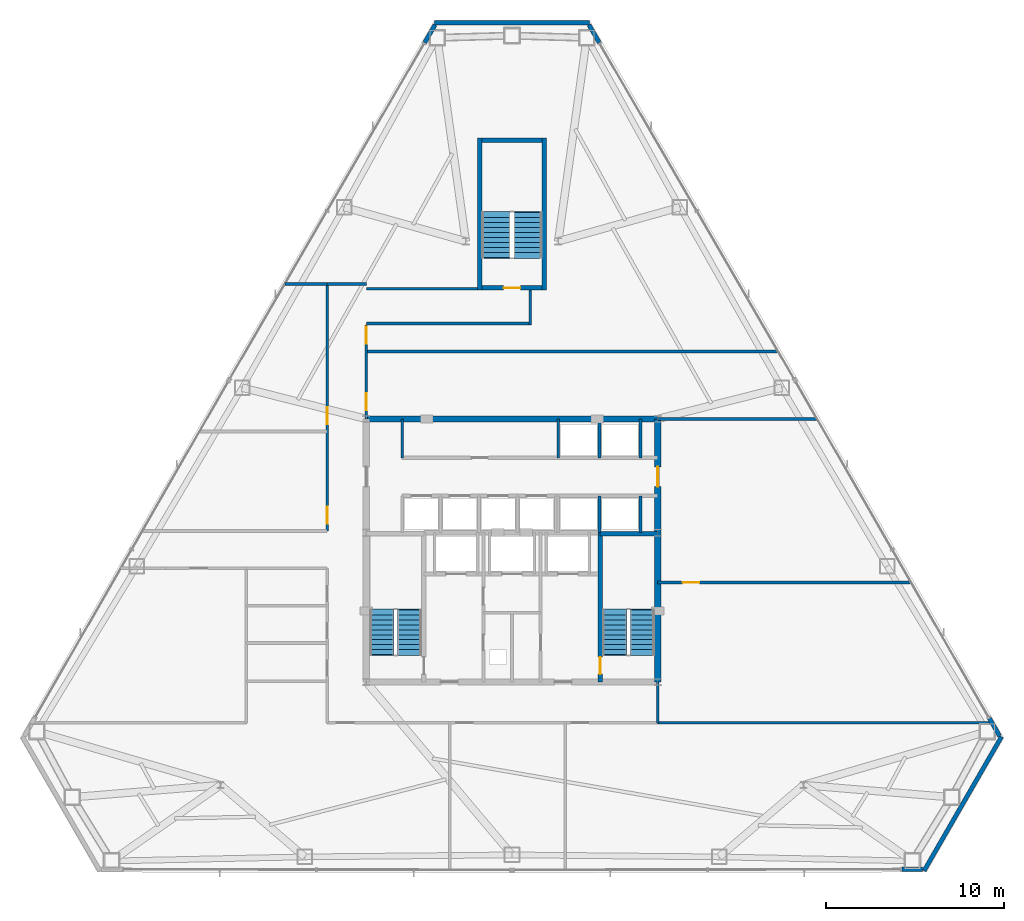
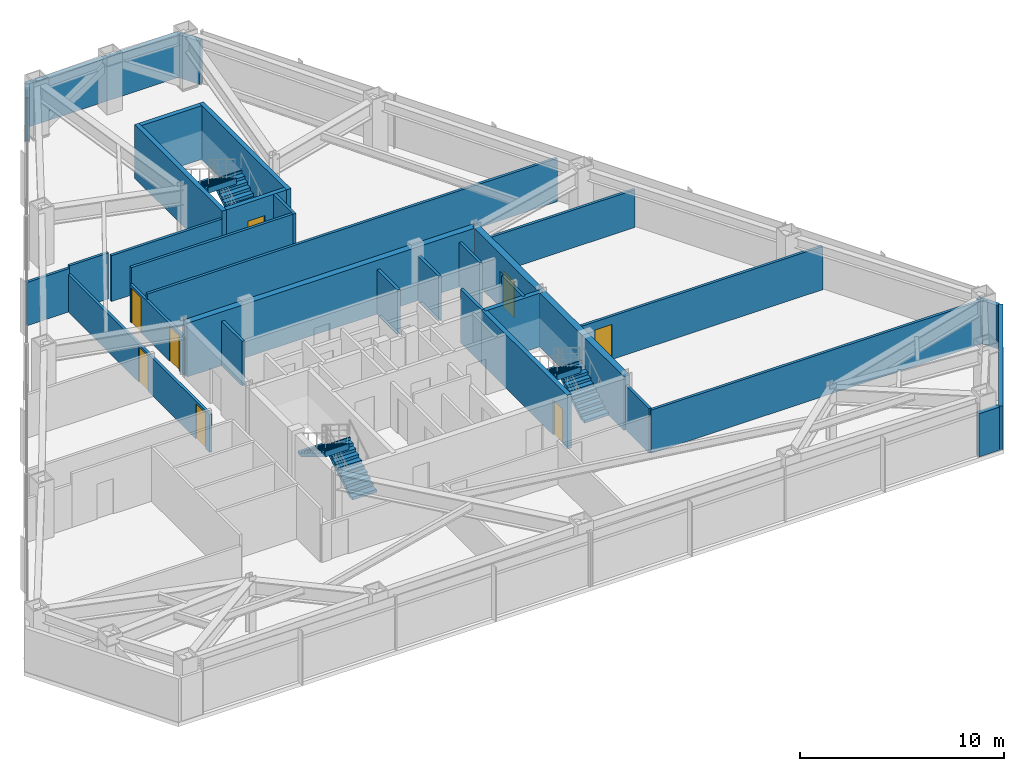
# One storey, part 11 of 12: 32 walls, 8 doors, 6 stair flights, 8 openings, 3 elements without a shape of their own.
"""IFC4 building model written with IfcOpenShell, lengths in metres."""

from ifc_helpers import new_model, si_unit, direction, frame, frame_2d, origin, place, context, subcontext, project, spatial, polyline, rectangle, outline, extrude, material, layer, layer_set, type_object, element, fill, aggregate, save


model = new_model("IFC4")

# Units and contexts
model_context = context("Model", 3, precision=1e-05, world=origin(), true_north=direction((0.0, 1.0)))
body_context = subcontext(model_context, "Body", "Model", "MODEL_VIEW")
ifc_project = project(units=[si_unit("LENGTHUNIT", "METRE"), si_unit("AREAUNIT", "SQUARE_METRE"), si_unit("VOLUMEUNIT", "CUBIC_METRE"), si_unit("PLANEANGLEUNIT", "RADIAN"), si_unit("MASSUNIT", "GRAM", prefix="KILO")], contexts=[model_context])

# Site, building, storey
site_placement = place(None, origin())
site = spatial("IfcSite", under=ifc_project, at=site_placement, CompositionType="ELEMENT")
building_placement = place(site_placement, origin())
building = spatial("IfcBuilding", under=site, at=building_placement, Name="Varakhsha Concourse Tower", CompositionType="ELEMENT")
storey_placement = place(building_placement, frame((0.0, 0.0, 119.449951171875)))
storey = spatial("IfcBuildingStorey", under=building, at=storey_placement, Name="L34", CompositionType="ELEMENT", Elevation=119.449951171875)

# Wall
ifc_material_1 = material(Name="Concrete fc 65 MPa", Category="concrete")
ifc_layer_1 = layer(ifc_material_1, 0.35009765625, Name="WL-CORE-350")
ifc_layer_set_1 = layer_set([ifc_layer_1], Name="Concrete fc 65 MPa")
wall_type_1 = type_object("IfcWallType", Name="WL-CORE-350", PredefinedType="SHEAR", material=ifc_layer_set_1)
wall_1_placement = place(storey_placement, frame((31.800048828125, 31.199951171875, 0.0), z_axis=(0.0, 0.0, 1.0), x_axis=(1.0, 0.0, 0.0)))
element("IfcWall", 1, at=wall_1_placement, inside=storey, type_object=wall_type_1, Name="L34 Wall CWALL-N-L34", PredefinedType="SHEAR", context=body_context, shape_type="SweptSolid", body=[
    extrude(rectangle(XDim=16.39990234375, YDim=0.35009765625, at=frame_2d((8.199951171875, 0.0))), origin(), (0.0, 0.0, 1.0), 3.2099609375),
])

# Wall, opening, door
wall_2_placement = place(storey_placement, frame((48.199951171875, 16.39990234375, 0.0), z_axis=(0.0, 0.0, 1.0), x_axis=(0.0, 1.0, 0.0)))
wall_2 = element("IfcWall", 2, at=wall_2_placement, inside=storey, type_object=wall_type_1, Name="L34 Wall CWALL-E-L34", PredefinedType="SHEAR", context=body_context, shape_type="SweptSolid", body=[
    extrude(rectangle(XDim=14.800048828125, YDim=0.35009765625, at=frame_2d((7.39990234375, 0.0))), origin(), (0.0, 0.0, 1.0), 3.2099609375),
])
opening_1_placement = place(wall_2_placement, frame((11.0, 0.0, 0.0)))
opening_1 = element("IfcOpeningElement", 3, at=opening_1_placement, cuts=wall_2, Name="Opening DL-01", PredefinedType="OPENING", context=body_context, shape_type="SweptSolid", body=[
    extrude(rectangle(XDim=1.10009765625, YDim=2.14990234375, at=frame_2d((0.550048828125, 1.074951171875))), frame((0.0, 0.18505859375, 0.0), z_axis=(0.0, -1.0, 0.0), x_axis=(1.0, 0.0, 0.0)), (0.0, 0.0, 1.0), 0.3701171875),
])
ifc_material_2 = material(Name="Anodised Bronze Architectural Aluminium AA 6063-T6", Category="aluminium")
door_type_1 = type_object("IfcDoorType", Name="DR-LOB-1100", OperationType="NOTDEFINED", PredefinedType="DOOR", material=ifc_material_2)
door_1_placement = place(opening_1_placement, origin())
door_1 = element("IfcDoor", 4, at=door_1_placement, inside=storey, type_object=door_type_1, Name="L34 Lift Lobby East Concourse Door", OperationType="SINGLE_SWING_RIGHT", OverallHeight=2.14990234375, OverallWidth=1.10009765625, PredefinedType="DOOR", context=body_context, shape_type="SweptSolid", body=[
    extrude(rectangle(XDim=1.10009765625, YDim=2.14990234375, at=frame_2d((0.550048828125, 1.074951171875))), frame((0.0, 0.02490234375, 0.0), z_axis=(0.0, -1.0, 0.0), x_axis=(1.0, 0.0, 0.0)), (0.0, 0.0, 1.0), 0.050048828125),
])
fill(opening_1, door_1)

# Walls
ifc_material_3 = material(Name="Concrete fc 45 MPa", Category="concrete")
ifc_layer_2 = layer(ifc_material_3, 0.239990234375, Name="WL-EXT-CRN-240")
ifc_layer_set_2 = layer_set([ifc_layer_2], Name="Concrete fc 45 MPa")
wall_type_2 = type_object("IfcWallType", Name="WL-EXT-CRN-240", PredefinedType="SHEAR", material=ifc_layer_set_2)
wall_3_placement = place(storey_placement, frame((35.642822265625, 53.4931640625, 0.0), z_axis=(0.0, 0.0, 1.0), x_axis=(1.0, 0.0, 0.0)))
element("IfcWall", 5, at=wall_3_placement, inside=storey, type_object=wall_type_2, Name="L34 Chamfer Wind-Corner Insulated Wall F1", PredefinedType="SHEAR", context=body_context, shape_type="SweptSolid", body=[
    extrude(rectangle(XDim=8.71435546875, YDim=0.239990234375, at=frame_2d((4.357177734375, 0.0))), origin(), (0.0, 0.0, 1.0), 2.5830078125),
])
for number, where, z_axis, x_axis, name in (
    (6, (35.6708984375, 53.382568359375, 0.0), (0.0, 0.0, 1.0), (-0.501466653542, -0.865176973448, 0.0), "L34 Wind-Corner Shoulder Wall F2"),
    (7, (61.94580078125, 5.857666015625, 0.0), (0.0, 0.0, 1.0), (0.999998588859, 0.00167996403, 0.0), "L34 Wind-Corner Shoulder Wall F6"),
):
    element("IfcWall", number, at=place(storey_placement, frame(where, z_axis=z_axis, x_axis=x_axis)), inside=storey, type_object=wall_type_2, Name=name, PredefinedType="SHEAR", context=body_context, shape_type="SweptSolid", body=[
        extrude(rectangle(XDim=1.16259765625, YDim=0.239990234375, at=frame_2d((0.581298828125, 0.0))), origin(), (0.0, 0.0, 1.0), 2.5830078125),
    ])
wall_4_placement = place(storey_placement, frame((67.547119140625, 13.326904296875, 0.0), z_axis=(0.0, 0.0, 1.0), x_axis=(-0.499998917442, -0.866026028799, 0.0)))
element("IfcWall", 8, at=wall_4_placement, inside=storey, type_object=wall_type_2, Name="L34 Chamfer Wind-Corner Insulated Wall F7", PredefinedType="SHEAR", context=body_context, shape_type="SweptSolid", body=[
    extrude(rectangle(XDim=8.71435546875, YDim=0.239990234375, at=frame_2d((4.357177734375, 0.0))), origin(), (0.0, 0.0, 1.0), 2.5830078125),
])
wall_5_placement = place(storey_placement, frame((67.4375, 13.35791015625, 0.0), z_axis=(0.0, 0.0, 1.0), x_axis=(-0.498625017703, 0.866817796149, 0.0)))
element("IfcWall", 9, at=wall_5_placement, inside=storey, type_object=wall_type_2, Name="L34 Wind-Corner Shoulder Wall F8", PredefinedType="SHEAR", context=body_context, shape_type="SweptSolid", body=[
    extrude(rectangle(XDim=1.162353515625, YDim=0.239990234375, at=frame_2d((0.5810546875, 0.0))), origin(), (0.0, 0.0, 1.0), 2.5830078125),
])
wall_6_placement = place(storey_placement, frame((44.912109375, 52.376708984375, 0.0), z_axis=(0.0, 0.0, 1.0), x_axis=(-0.501466653542, 0.865176973448, 0.0)))
element("IfcWall", 10, at=wall_6_placement, inside=storey, type_object=wall_type_2, Name="L34 Wind-Corner Shoulder Wall F9", PredefinedType="SHEAR", context=body_context, shape_type="SweptSolid", body=[
    extrude(rectangle(XDim=1.16259765625, YDim=0.239990234375, at=frame_2d((0.581298828125, 0.0))), origin(), (0.0, 0.0, 1.0), 2.5830078125),
])
ifc_material_4 = material(Name="Fire-Rated Type X Gypsum Partition Assembly", Category="gypsum")
ifc_layer_3 = layer(ifc_material_4, 0.14990234375, Name="WL-PART-150")
ifc_layer_set_3 = layer_set([ifc_layer_3], Name="Fire-Rated Type X Gypsum Partition Assembly")
wall_type_3 = type_object("IfcWallType", Name="WL-PART-150", PredefinedType="PARTITIONING", material=ifc_layer_set_3)
wall_7_placement = place(storey_placement, frame((48.199951171875, 14.10009765625, 0.0), z_axis=(0.0, 0.0, 1.0), x_axis=(0.0, 1.0, 0.0)))
element("IfcWall", 11, at=wall_7_placement, inside=storey, type_object=wall_type_3, Name="L34 Wall CRW-SE-L34", PredefinedType="PARTITIONING", context=body_context, shape_type="SweptSolid", body=[
    extrude(rectangle(XDim=2.2998046875, YDim=0.14990234375, at=frame_2d((1.14990234375, 0.0))), origin(), (0.0, 0.0, 1.0), 2.6611328125),
])

# Wall, openings, doors
wall_8_placement = place(storey_placement, frame((29.60009765625, 24.89990234375, 0.0), z_axis=(0.0, 0.0, 1.0), x_axis=(0.0, 1.0, 0.0)))
wall_8 = element("IfcWall", 12, at=wall_8_placement, inside=storey, type_object=wall_type_3, Name="L34 Wall CRW-WN-L34", PredefinedType="PARTITIONING", context=body_context, shape_type="SweptSolid", body=[
    extrude(rectangle(XDim=13.900146484375, YDim=0.14990234375, at=frame_2d((6.9501953125, 0.0))), origin(), (0.0, 0.0, 1.0), 2.251953125),
])
opening_2_placement = place(wall_8_placement, frame((0.39990234375, 0.0, 0.0)))
opening_2 = element("IfcOpeningElement", 13, at=opening_2_placement, cuts=wall_8, Name="Opening DF-05", PredefinedType="OPENING", context=body_context, shape_type="SweptSolid", body=[
    extrude(rectangle(XDim=0.949951171875, YDim=2.10009765625, at=frame_2d((0.47509765625, 1.050048828125))), frame((0.0, 0.0849609375, 0.0), z_axis=(0.0, -1.0, 0.0), x_axis=(1.0, 0.0, 0.0)), (0.0, 0.0, 1.0), 0.169921875),
])
opening_3_placement = place(wall_8_placement, frame((6.0, 0.0, 0.0)))
opening_3 = element("IfcOpeningElement", 14, at=opening_3_placement, cuts=wall_8, Name="Opening DF-05", PredefinedType="OPENING", context=body_context, shape_type="SweptSolid", body=[
    extrude(rectangle(XDim=0.949951171875, YDim=2.10009765625, at=frame_2d((0.47509765625, 1.050048828125))), frame((0.0, 0.0849609375, 0.0), z_axis=(0.0, -1.0, 0.0), x_axis=(1.0, 0.0, 0.0)), (0.0, 0.0, 1.0), 0.169921875),
])
ifc_material_5 = material(Name="Hollow Galvanised Steel Fire Door Assembly", Category="steel")
door_type_2 = type_object("IfcDoorType", Name="DR-FD60-950", OperationType="NOTDEFINED", PredefinedType="DOOR", material=ifc_material_5)
door_2_placement = place(opening_2_placement, origin())
door_2 = element("IfcDoor", 15, at=door_2_placement, inside=storey, type_object=door_type_2, Name="L34 Client Briefing Studio L34-NW Door", OperationType="SINGLE_SWING_RIGHT", OverallHeight=2.10009765625, OverallWidth=0.949951171875, PredefinedType="DOOR", context=body_context, shape_type="SweptSolid", body=[
    extrude(rectangle(XDim=0.949951171875, YDim=2.10009765625, at=frame_2d((0.47509765625, 1.050048828125))), frame((0.0, 0.02490234375, 0.0), z_axis=(0.0, -1.0, 0.0), x_axis=(1.0, 0.0, 0.0)), (0.0, 0.0, 1.0), 0.050048828125),
])
fill(opening_2, door_2)
door_3_placement = place(opening_3_placement, origin())
door_3 = element("IfcDoor", 16, at=door_3_placement, inside=storey, type_object=door_type_2, Name="L34 Strategic Advisory Office Suite L34-W2 Door", OperationType="SINGLE_SWING_LEFT", OverallHeight=2.10009765625, OverallWidth=0.949951171875, PredefinedType="DOOR", context=body_context, shape_type="SweptSolid", body=[
    extrude(rectangle(XDim=0.949951171875, YDim=2.10009765625, at=frame_2d((0.47509765625, 1.050048828125))), frame((0.0, 0.02490234375, 0.0), z_axis=(0.0, -1.0, 0.0), x_axis=(1.0, 0.0, 0.0)), (0.0, 0.0, 1.0), 0.050048828125),
])
fill(opening_3, door_3)

wall_9_placement = place(storey_placement, frame((31.800048828125, 31.199951171875, 0.0), z_axis=(0.0, 0.0, 1.0), x_axis=(0.0, 1.0, 0.0)))
wall_9 = element("IfcWall", 17, at=wall_9_placement, inside=storey, type_object=wall_type_3, Name="L34 Wall CRW-NE-L34", PredefinedType="PARTITIONING", context=body_context, shape_type="SweptSolid", body=[
    extrude(rectangle(XDim=5.300048828125, YDim=0.14990234375, at=frame_2d((2.64990234375, 0.0))), origin(), (0.0, 0.0, 1.0), 2.251953125),
])
opening_4_placement = place(wall_9_placement, frame((0.5, 0.0, 0.0)))
opening_4 = element("IfcOpeningElement", 18, at=opening_4_placement, cuts=wall_9, Name="Opening DF-05", PredefinedType="OPENING", context=body_context, shape_type="SweptSolid", body=[
    extrude(rectangle(XDim=0.949951171875, YDim=2.10009765625, at=frame_2d((0.47509765625, 1.050048828125))), frame((0.0, 0.0849609375, 0.0), z_axis=(0.0, -1.0, 0.0), x_axis=(1.0, 0.0, 0.0)), (0.0, 0.0, 1.0), 0.169921875),
])
opening_5_placement = place(wall_9_placement, frame((4.22998046875, 0.0, 0.0)))
opening_5 = element("IfcOpeningElement", 19, at=opening_5_placement, cuts=wall_9, Name="Opening DF-05", PredefinedType="OPENING", context=body_context, shape_type="SweptSolid", body=[
    extrude(rectangle(XDim=0.949951171875, YDim=2.10009765625, at=frame_2d((0.47509765625, 1.050048828125))), frame((0.0, 0.0849609375, 0.0), z_axis=(0.0, -1.0, 0.0), x_axis=(1.0, 0.0, 0.0)), (0.0, 0.0, 1.0), 0.169921875),
])
door_4_placement = place(opening_4_placement, origin())
door_4 = element("IfcDoor", 20, at=door_4_placement, inside=storey, type_object=door_type_2, Name="L34 Mountain View Project Controls Workroom L34-NE1 Door", OperationType="SINGLE_SWING_RIGHT", OverallHeight=2.10009765625, OverallWidth=0.949951171875, PredefinedType="DOOR", context=body_context, shape_type="SweptSolid", body=[
    extrude(rectangle(XDim=0.949951171875, YDim=2.10009765625, at=frame_2d((0.47509765625, 1.050048828125))), frame((0.0, 0.02490234375, 0.0), z_axis=(0.0, -1.0, 0.0), x_axis=(1.0, 0.0, 0.0)), (0.0, 0.0, 1.0), 0.050048828125),
])
fill(opening_4, door_4)
door_5_placement = place(opening_5_placement, origin())
door_5 = element("IfcDoor", 21, at=door_5_placement, inside=storey, type_object=door_type_2, Name="L34 Apex Strategic Advisory Office Suite L34-NE2 Door", OperationType="SINGLE_SWING_RIGHT", OverallHeight=2.10009765625, OverallWidth=0.949951171875, PredefinedType="DOOR", context=body_context, shape_type="SweptSolid", body=[
    extrude(rectangle(XDim=0.949951171875, YDim=2.10009765625, at=frame_2d((0.47509765625, 1.050048828125))), frame((0.0, 0.02490234375, 0.0), z_axis=(0.0, -1.0, 0.0), x_axis=(1.0, 0.0, 0.0)), (0.0, 0.0, 1.0), 0.050048828125),
])
fill(opening_5, door_5)

# Walls
wall_10_placement = place(storey_placement, frame((29.60009765625, 38.800048828125, 0.0), z_axis=(0.0, 0.0, 1.0), x_axis=(1.0, 0.0, 0.0)))
element("IfcWall", 22, at=wall_10_placement, inside=storey, type_object=wall_type_3, Name="L34 Wall CRW-NCAP-L34", PredefinedType="PARTITIONING", context=body_context, shape_type="SweptSolid", body=[
    extrude(rectangle(XDim=2.199951171875, YDim=0.14990234375, at=frame_2d((1.10009765625, 0.0))), origin(), (0.0, 0.0, 1.0), 2.7431640625),
])
wall_11_placement = place(storey_placement, frame((27.223388671875, 38.800048828125, 0.0), z_axis=(0.0, 0.0, 1.0), x_axis=(1.0, 0.0, 0.0)))
element("IfcWall", 23, at=wall_11_placement, inside=storey, type_object=wall_type_3, Name="L34 Wall ODIV-NWT-L34", PredefinedType="PARTITIONING", context=body_context, shape_type="SweptSolid", body=[
    extrude(rectangle(XDim=2.376708984375, YDim=0.14990234375, at=frame_2d((1.1884765625, 0.0))), origin(), (0.0, 0.0, 1.0), 2.589111328125),
])
wall_12_placement = place(storey_placement, frame((48.199951171875, 31.199951171875, 0.0), z_axis=(0.0, 0.0, 1.0), x_axis=(1.0, 0.0, 0.0)))
element("IfcWall", 24, at=wall_12_placement, inside=storey, type_object=wall_type_3, Name="L34 Wall ODIV-NEB-L34", PredefinedType="PARTITIONING", context=body_context, shape_type="SweptSolid", body=[
    extrude(rectangle(XDim=8.971923828125, YDim=0.14990234375, at=frame_2d((4.48583984375, 0.0))), origin(), (0.0, 0.0, 1.0), 2.251953125),
])
wall_13_placement = place(storey_placement, frame((31.800048828125, 35.0, 0.0), z_axis=(0.0, 0.0, 1.0), x_axis=(1.0, 0.0, 0.0)))
element("IfcWall", 25, at=wall_13_placement, inside=storey, type_object=wall_type_3, Name="L34 Wall ODIV-NE1-L34", PredefinedType="PARTITIONING", context=body_context, shape_type="SweptSolid", body=[
    extrude(rectangle(XDim=23.17919921875, YDim=0.14990234375, at=frame_2d((11.589599609375, 0.0))), origin(), (0.0, 0.0, 1.0), 2.589111328125),
])
wall_14_placement = place(storey_placement, frame((48.199951171875, 14.10009765625, 0.0), z_axis=(0.0, 0.0, 1.0), x_axis=(1.0, 0.0, 0.0)))
element("IfcWall", 26, at=wall_14_placement, inside=storey, type_object=wall_type_3, Name="L34 Wall ODIV-EB0-L34", PredefinedType="PARTITIONING", context=body_context, shape_type="SweptSolid", body=[
    extrude(rectangle(XDim=18.804931640625, YDim=0.14990234375, at=frame_2d((9.40234375, 0.0))), origin(), (0.0, 0.0, 1.0), 2.589111328125),
])

# Wall, opening, door
wall_15_placement = place(storey_placement, frame((48.199951171875, 22.0, 0.0), z_axis=(0.0, 0.0, 1.0), x_axis=(1.0, 0.0, 0.0)))
wall_15 = element("IfcWall", 27, at=wall_15_placement, inside=storey, type_object=wall_type_3, Name="L34 Wall ODIV-E1-L34", PredefinedType="PARTITIONING", context=body_context, shape_type="SweptSolid", body=[
    extrude(rectangle(XDim=14.26220703125, YDim=0.14990234375, at=frame_2d((7.131103515625, 0.0))), origin(), (0.0, 0.0, 1.0), 2.589111328125),
])
opening_6_placement = place(wall_15_placement, frame((1.39990234375, 0.0, 0.0)))
opening_6 = element("IfcOpeningElement", 28, at=opening_6_placement, cuts=wall_15, Name="Opening DF-05", PredefinedType="OPENING", context=body_context, shape_type="SweptSolid", body=[
    extrude(rectangle(XDim=0.949951171875, YDim=2.10009765625, at=frame_2d((0.47509765625, 1.050048828125))), frame((0.0, 0.0849609375, 0.0), z_axis=(0.0, -1.0, 0.0), x_axis=(1.0, 0.0, 0.0)), (0.0, 0.0, 1.0), 0.169921875),
])
door_6_placement = place(opening_6_placement, origin())
door_6 = element("IfcDoor", 29, at=door_6_placement, inside=storey, type_object=door_type_2, Name="L34 East Suite Interconnect Door 1", OperationType="SINGLE_SWING_LEFT", OverallHeight=2.10009765625, OverallWidth=0.949951171875, PredefinedType="DOOR", context=body_context, shape_type="SweptSolid", body=[
    extrude(rectangle(XDim=0.949951171875, YDim=2.10009765625, at=frame_2d((0.47509765625, 1.050048828125))), frame((0.0, 0.02490234375, 0.0), z_axis=(0.0, -1.0, 0.0), x_axis=(1.0, 0.0, 0.0)), (0.0, 0.0, 1.0), 0.050048828125),
])
fill(opening_6, door_6)

# Walls
wall_16_placement = place(storey_placement, frame((31.800048828125, 36.574951171875, 0.0), z_axis=(0.0, 0.0, 1.0), x_axis=(1.0, 0.0, 0.0)))
element("IfcWall", 30, at=wall_16_placement, inside=storey, type_object=wall_type_3, Name="L34 Wall STLK-S-L34", PredefinedType="PARTITIONING", context=body_context, shape_type="SweptSolid", body=[
    extrude(rectangle(XDim=9.14990234375, YDim=0.14990234375, at=frame_2d((4.574951171875, 0.0))), origin(), (0.0, 0.0, 1.0), 3.2099609375),
])
wall_17_placement = place(storey_placement, frame((31.800048828125, 38.52490234375, 0.0), z_axis=(0.0, 0.0, 1.0), x_axis=(1.0, 0.0, 0.0)))
element("IfcWall", 31, at=wall_17_placement, inside=storey, type_object=wall_type_3, Name="L34 Wall STLK-N-L34", PredefinedType="PARTITIONING", context=body_context, shape_type="SweptSolid", body=[
    extrude(rectangle(XDim=6.25, YDim=0.14990234375, at=frame_2d((3.125, 0.0))), origin(), (0.0, 0.0, 1.0), 2.7431640625),
])
wall_18_placement = place(storey_placement, frame((41.02490234375, 36.5, 0.0), z_axis=(0.0, 0.0, 1.0), x_axis=(0.0, 1.0, 0.0)))
element("IfcWall", 32, at=wall_18_placement, inside=storey, type_object=wall_type_3, Name="L34 Wall STLK-E-L34", PredefinedType="PARTITIONING", context=body_context, shape_type="SweptSolid", body=[
    extrude(rectangle(XDim=1.949951171875, YDim=0.14990234375, at=frame_2d((0.97509765625, 0.0))), origin(), (0.0, 0.0, 1.0), 3.2099609375),
])
ifc_layer_4 = layer(ifc_material_4, 0.199951171875, Name="WL-SHAFT-220")
ifc_layer_set_4 = layer_set([ifc_layer_4], Name="Fire-Rated Type X Gypsum Partition Assembly")
wall_type_4 = type_object("IfcWallType", Name="WL-SHAFT-220", PredefinedType="SOLIDWALL", material=ifc_layer_set_4)
for number, where, z_axis, x_axis, name in (
    (33, (33.820068359375, 29.02001953125, 0.0), (0.0, 0.0, 1.0), (0.0, 1.0, 0.0), "L34 Wall WBOH-E1-L34"),
    (34, (42.60009765625, 29.02001953125, 0.0), (0.0, 0.0, 1.0), (0.0, 1.0, 0.0), "L34 Wall SHW-LF-P09-W-L34"),
    (35, (44.919921875, 29.02001953125, 0.0), (0.0, 0.0, 1.0), (0.0, 1.0, 0.0), "L34 Wall SHW-LF-P09-E-L34"),
    (36, (47.239990234375, 29.02001953125, 0.0), (0.0, 0.0, 1.0), (0.0, 1.0, 0.0), "L34 Wall SHW-LF-P10-E-L34"),
):
    element("IfcWall", number, at=place(storey_placement, frame(where, z_axis=z_axis, x_axis=x_axis)), inside=storey, type_object=wall_type_4, Name=name, PredefinedType="SOLIDWALL", context=body_context, shape_type="SweptSolid", body=[
        extrude(rectangle(XDim=2.179931640625, YDim=0.159912109375, at=frame_2d((1.08984375, 0.0))), origin(), (0.0, 0.0, 1.0), 2.6611328125),
    ])
for number, where, z_axis, x_axis, name in (
    (37, (44.919921875, 24.800048828125, 0.0), (0.0, 0.0, 1.0), (0.0, 1.0, 0.0), "L34 Wall SHW-LF-P11-E-L34"),
    (38, (47.239990234375, 24.800048828125, 0.0), (0.0, 0.0, 1.0), (0.0, 1.0, 0.0), "L34 Wall SHW-LF-P12-E-L34"),
):
    element("IfcWall", number, at=place(storey_placement, frame(where, z_axis=z_axis, x_axis=x_axis)), inside=storey, type_object=wall_type_4, Name=name, PredefinedType="SOLIDWALL", context=body_context, shape_type="SweptSolid", body=[
        extrude(rectangle(XDim=2.079833984375, YDim=0.159912109375, at=frame_2d((1.0400390625, 0.0))), origin(), (0.0, 0.0, 1.0), 3.2099609375),
    ])

# Wall, opening, door
ifc_layer_5 = layer(ifc_material_3, 0.25, Name="WL-STAIR-250")
ifc_layer_set_5 = layer_set([ifc_layer_5], Name="Concrete fc 45 MPa")
wall_type_5 = type_object("IfcWallType", Name="WL-STAIR-250", PredefinedType="SHEAR", material=ifc_layer_set_5)
wall_19_placement = place(storey_placement, frame((44.955078125, 16.39990234375, 0.0), z_axis=(0.0, 0.0, 1.0), x_axis=(0.0, 1.0, 0.0)))
wall_19 = element("IfcWall", 39, at=wall_19_placement, inside=storey, type_object=wall_type_5, Name="L34 Wall SWALL-ST2-W-L34", PredefinedType="SHEAR", context=body_context, shape_type="SweptSolid", body=[
    extrude(rectangle(XDim=8.400146484375, YDim=0.25, at=frame_2d((4.2001953125, 0.0))), origin(), (0.0, 0.0, 1.0), 3.2099609375),
])
opening_7_placement = place(wall_19_placement, frame((0.449951171875, 0.0, 0.0)))
opening_7 = element("IfcOpeningElement", 40, at=opening_7_placement, cuts=wall_19, Name="Opening DF-03", PredefinedType="OPENING", context=body_context, shape_type="SweptSolid", body=[
    extrude(rectangle(XDim=0.949951171875, YDim=2.10009765625, at=frame_2d((0.47509765625, 1.050048828125))), frame((0.0, 0.135009765625, 0.0), z_axis=(0.0, -1.0, 0.0), x_axis=(1.0, 0.0, 0.0)), (0.0, 0.0, 1.0), 0.27001953125),
])
door_type_3 = type_object("IfcDoorType", Name="DR-FD90-950", OperationType="NOTDEFINED", PredefinedType="DOOR", material=ifc_material_5)
door_7_placement = place(opening_7_placement, origin())
door_7 = element("IfcDoor", 41, at=door_7_placement, inside=storey, type_object=door_type_3, Name="L34 Stair ST2 Fire Door", OperationType="SINGLE_SWING_RIGHT", OverallHeight=2.10009765625, OverallWidth=0.949951171875, PredefinedType="DOOR", context=body_context, shape_type="SweptSolid", body=[
    extrude(rectangle(XDim=0.949951171875, YDim=2.10009765625, at=frame_2d((0.47509765625, 1.050048828125))), frame((0.0, 0.02490234375, 0.0), z_axis=(0.0, -1.0, 0.0), x_axis=(1.0, 0.0, 0.0)), (0.0, 0.0, 1.0), 0.050048828125),
])
fill(opening_7, door_7)

# Walls
wall_20_placement = place(storey_placement, frame((44.955078125, 24.7548828125, 0.0), z_axis=(0.0, 0.0, 1.0), x_axis=(1.0, 0.0, 0.0)))
element("IfcWall", 42, at=wall_20_placement, inside=storey, type_object=wall_type_5, Name="L34 Wall SWALL-ST2-N-L34", PredefinedType="SHEAR", context=body_context, shape_type="SweptSolid", body=[
    extrude(rectangle(XDim=3.244873046875, YDim=0.25, at=frame_2d((1.62255859375, 0.0))), origin(), (0.0, 0.0, 1.0), 3.2099609375),
])
for number, where, z_axis, x_axis, name in (
    (43, (38.175048828125, 38.449951171875, 0.0), (0.0, 0.0, 1.0), (0.0, 1.0, 0.0), "L34 Wall SWALL-ST5-W-L34"),
    (44, (41.824951171875, 38.449951171875, 0.0), (0.0, 0.0, 1.0), (0.0, 1.0, 0.0), "L34 Wall SWALL-ST5-E-L34"),
):
    element("IfcWall", number, at=place(storey_placement, frame(where, z_axis=z_axis, x_axis=x_axis)), inside=storey, type_object=wall_type_5, Name=name, PredefinedType="SHEAR", context=body_context, shape_type="SweptSolid", body=[
        extrude(rectangle(XDim=8.550048828125, YDim=0.25, at=frame_2d((4.27490234375, 0.0))), origin(), (0.0, 0.0, 1.0), 3.2099609375),
    ])

# Wall, opening, door
wall_21_placement = place(storey_placement, frame((38.300048828125, 38.574951171875, 0.0), z_axis=(0.0, 0.0, 1.0), x_axis=(1.0, 0.0, 0.0)))
wall_21 = element("IfcWall", 45, at=wall_21_placement, inside=storey, type_object=wall_type_5, Name="L34 Wall SWALL-ST5-S-L34", PredefinedType="SHEAR", context=body_context, shape_type="SweptSolid", body=[
    extrude(rectangle(XDim=3.39990234375, YDim=0.25, at=frame_2d((1.699951171875, 0.0))), origin(), (0.0, 0.0, 1.0), 3.2099609375),
])
opening_8_placement = place(wall_21_placement, frame((1.22509765625, 0.0, 0.0)))
opening_8 = element("IfcOpeningElement", 46, at=opening_8_placement, cuts=wall_21, Name="Opening DF-03", PredefinedType="OPENING", context=body_context, shape_type="SweptSolid", body=[
    extrude(rectangle(XDim=0.949951171875, YDim=2.10009765625, at=frame_2d((0.47509765625, 1.050048828125))), frame((0.0, 0.135009765625, 0.0), z_axis=(0.0, -1.0, 0.0), x_axis=(1.0, 0.0, 0.0)), (0.0, 0.0, 1.0), 0.27001953125),
])
door_8_placement = place(opening_8_placement, origin())
door_8 = element("IfcDoor", 47, at=door_8_placement, inside=storey, type_object=door_type_3, Name="L34 Stair ST5 Fire Door", OperationType="SINGLE_SWING_RIGHT", OverallHeight=2.10009765625, OverallWidth=0.949951171875, PredefinedType="DOOR", context=body_context, shape_type="SweptSolid", body=[
    extrude(rectangle(XDim=0.949951171875, YDim=2.10009765625, at=frame_2d((0.47509765625, 1.050048828125))), frame((0.0, 0.02490234375, 0.0), z_axis=(0.0, -1.0, 0.0), x_axis=(1.0, 0.0, 0.0)), (0.0, 0.0, 1.0), 0.050048828125),
])
fill(opening_8, door_8)

# Wall
wall_22_placement = place(storey_placement, frame((38.300048828125, 46.875, 0.0), z_axis=(0.0, 0.0, 1.0), x_axis=(1.0, 0.0, 0.0)))
element("IfcWall", 48, at=wall_22_placement, inside=storey, type_object=wall_type_5, Name="L34 Wall SWALL-ST5-N-L34", PredefinedType="SHEAR", context=body_context, shape_type="SweptSolid", body=[
    extrude(rectangle(XDim=3.39990234375, YDim=0.25, at=frame_2d((1.699951171875, 0.0))), origin(), (0.0, 0.0, 1.0), 3.2099609375),
])

# Stair, stair flights
stair_type_1 = type_object("IfcStairType", Name="ST-DOGLEG-1360", PredefinedType="HALF_TURN_STAIR", material=ifc_material_3)
stair_1_placement = place(storey_placement, origin())
stair_1 = element("IfcStair", 49, at=stair_1_placement, inside=storey, type_object=stair_type_1, Name="L34 Protected Exit Stair ST1", PredefinedType="HALF_TURN_STAIR")
stair_flight_type_1 = type_object("IfcStairFlightType", Name="STF-1360-R1725", PredefinedType="STRAIGHT", material=ifc_material_3)
stair_flight_1_placement = place(storey_placement, frame((34.239990234375, 17.93994140625, 0.0), z_axis=(0.0, 0.0, 1.0), x_axis=(0.0, 1.0, 0.0)))
stair_flight_1 = element("IfcStairFlight", 50, at=stair_flight_1_placement, type_object=stair_flight_type_1, Name="ST1 flight 1", NumberOfRisers=10, NumberOfTreads=9, PredefinedType="STRAIGHT", RiserHeight=0.1725, TreadLength=0.28, context=body_context, shape_type="SweptSolid", body=[
    extrude(outline(polyline([(-0.06005859375, 0.0), (-0.06005859375, 0.172607421875), (0.0, 0.172607421875), (0.280029296875, 0.172607421875), (0.280029296875, 0.344970703125), (0.56005859375, 0.344970703125), (0.56005859375, 0.517578125), (0.840087890625, 0.517578125), (0.840087890625, 0.68994140625), (1.1201171875, 0.68994140625), (1.1201171875, 0.862548828125), (1.39990234375, 0.862548828125), (1.39990234375, 1.034912109375), (1.679931640625, 1.034912109375), (1.679931640625, 1.20751953125), (1.9599609375, 1.20751953125), (1.9599609375, 1.3798828125), (2.239990234375, 1.3798828125), (2.239990234375, 1.552490234375), (2.52001953125, 1.552490234375), (2.52001953125, 1.72509765625), (2.580078125, 1.72509765625), (2.580078125, 1.37646484375), (2.52001953125, 1.37646484375), (0.285888671875, 0.0), (-0.06005859375, 0.0)])), frame((0.0, 0.68017578125, 0.0), z_axis=(0.0, -1.0, 0.0), x_axis=(1.0, 0.0, 0.0)), (0.0, 0.0, 1.0), 1.360107421875),
])
stair_flight_2_placement = place(storey_placement, frame((32.679931640625, 20.4599609375, 1.72509765625), z_axis=(0.0, 0.0, 1.0), x_axis=(0.0, -1.0, 0.0)))
stair_flight_2 = element("IfcStairFlight", 51, at=stair_flight_2_placement, type_object=stair_flight_type_1, Name="ST1 flight 2", NumberOfRisers=10, NumberOfTreads=9, PredefinedType="STRAIGHT", RiserHeight=0.1725, TreadLength=0.28, context=body_context, shape_type="SweptSolid", body=[
    extrude(outline(polyline([(-0.06005859375, 0.0), (-0.06005859375, 0.172607421875), (0.0, 0.172607421875), (0.280029296875, 0.172607421875), (0.280029296875, 0.344970703125), (0.56005859375, 0.344970703125), (0.56005859375, 0.517578125), (0.840087890625, 0.517578125), (0.840087890625, 0.68994140625), (1.1201171875, 0.68994140625), (1.1201171875, 0.862548828125), (1.39990234375, 0.862548828125), (1.39990234375, 1.034912109375), (1.679931640625, 1.034912109375), (1.679931640625, 1.20751953125), (1.9599609375, 1.20751953125), (1.9599609375, 1.3798828125), (2.239990234375, 1.3798828125), (2.239990234375, 1.552490234375), (2.52001953125, 1.552490234375), (2.52001953125, 1.72509765625), (2.580078125, 1.72509765625), (2.580078125, 1.37646484375), (2.52001953125, 1.37646484375), (0.285888671875, 0.0), (-0.06005859375, 0.0)])), frame((0.0, 0.68017578125, 0.0), z_axis=(0.0, -1.0, 0.0), x_axis=(1.0, 0.0, 0.0)), (0.0, 0.0, 1.0), 1.360107421875),
])
aggregate(stair_1, [stair_flight_1, stair_flight_2])

stair_2_placement = place(storey_placement, origin())
stair_2 = element("IfcStair", 52, at=stair_2_placement, inside=storey, type_object=stair_type_1, Name="L34 Protected Exit Stair ST2", PredefinedType="HALF_TURN_STAIR")
stair_flight_3_placement = place(storey_placement, frame((47.340087890625, 17.93994140625, 0.0), z_axis=(0.0, 0.0, 1.0), x_axis=(0.0, 1.0, 0.0)))
stair_flight_3 = element("IfcStairFlight", 53, at=stair_flight_3_placement, type_object=stair_flight_type_1, Name="ST2 flight 1", NumberOfRisers=10, NumberOfTreads=9, PredefinedType="STRAIGHT", RiserHeight=0.1725, TreadLength=0.28, context=body_context, shape_type="SweptSolid", body=[
    extrude(outline(polyline([(-0.06005859375, 0.0), (-0.06005859375, 0.172607421875), (0.0, 0.172607421875), (0.280029296875, 0.172607421875), (0.280029296875, 0.344970703125), (0.56005859375, 0.344970703125), (0.56005859375, 0.517578125), (0.840087890625, 0.517578125), (0.840087890625, 0.68994140625), (1.1201171875, 0.68994140625), (1.1201171875, 0.862548828125), (1.39990234375, 0.862548828125), (1.39990234375, 1.034912109375), (1.679931640625, 1.034912109375), (1.679931640625, 1.20751953125), (1.9599609375, 1.20751953125), (1.9599609375, 1.3798828125), (2.239990234375, 1.3798828125), (2.239990234375, 1.552490234375), (2.52001953125, 1.552490234375), (2.52001953125, 1.72509765625), (2.580078125, 1.72509765625), (2.580078125, 1.37646484375), (2.52001953125, 1.37646484375), (0.285888671875, 0.0), (-0.06005859375, 0.0)])), frame((0.0, 0.68017578125, 0.0), z_axis=(0.0, -1.0, 0.0), x_axis=(1.0, 0.0, 0.0)), (0.0, 0.0, 1.0), 1.360107421875),
])
stair_flight_4_placement = place(storey_placement, frame((45.780029296875, 20.4599609375, 1.72509765625), z_axis=(0.0, 0.0, 1.0), x_axis=(0.0, -1.0, 0.0)))
stair_flight_4 = element("IfcStairFlight", 54, at=stair_flight_4_placement, type_object=stair_flight_type_1, Name="ST2 flight 2", NumberOfRisers=10, NumberOfTreads=9, PredefinedType="STRAIGHT", RiserHeight=0.1725, TreadLength=0.28, context=body_context, shape_type="SweptSolid", body=[
    extrude(outline(polyline([(-0.06005859375, 0.0), (-0.06005859375, 0.172607421875), (0.0, 0.172607421875), (0.280029296875, 0.172607421875), (0.280029296875, 0.344970703125), (0.56005859375, 0.344970703125), (0.56005859375, 0.517578125), (0.840087890625, 0.517578125), (0.840087890625, 0.68994140625), (1.1201171875, 0.68994140625), (1.1201171875, 0.862548828125), (1.39990234375, 0.862548828125), (1.39990234375, 1.034912109375), (1.679931640625, 1.034912109375), (1.679931640625, 1.20751953125), (1.9599609375, 1.20751953125), (1.9599609375, 1.3798828125), (2.239990234375, 1.3798828125), (2.239990234375, 1.552490234375), (2.52001953125, 1.552490234375), (2.52001953125, 1.72509765625), (2.580078125, 1.72509765625), (2.580078125, 1.37646484375), (2.52001953125, 1.37646484375), (0.285888671875, 0.0), (-0.06005859375, 0.0)])), frame((0.0, 0.68017578125, 0.0), z_axis=(0.0, -1.0, 0.0), x_axis=(1.0, 0.0, 0.0)), (0.0, 0.0, 1.0), 1.360107421875),
])
aggregate(stair_2, [stair_flight_3, stair_flight_4])

stair_type_2 = type_object("IfcStairType", Name="ST-DOGLEG-1600", PredefinedType="HALF_TURN_STAIR", material=ifc_material_3)
stair_3_placement = place(storey_placement, origin())
stair_3 = element("IfcStair", 55, at=stair_3_placement, inside=storey, type_object=stair_type_2, Name="L34 Protected Exit Stair ST5", PredefinedType="HALF_TURN_STAIR")
stair_flight_type_2 = type_object("IfcStairFlightType", Name="STF-1600-R1725", PredefinedType="STRAIGHT", material=ifc_material_3)
stair_flight_5_placement = place(storey_placement, frame((40.89990234375, 40.300048828125, 0.0), z_axis=(0.0, 0.0, 1.0), x_axis=(0.0, 1.0, 0.0)))
stair_flight_5 = element("IfcStairFlight", 56, at=stair_flight_5_placement, type_object=stair_flight_type_2, Name="ST5 flight 1", NumberOfRisers=10, NumberOfTreads=9, PredefinedType="STRAIGHT", RiserHeight=0.1725, TreadLength=0.28, context=body_context, shape_type="SweptSolid", body=[
    extrude(outline(polyline([(-0.06005859375, 0.0), (-0.06005859375, 0.172607421875), (0.0, 0.172607421875), (0.280029296875, 0.172607421875), (0.280029296875, 0.344970703125), (0.56005859375, 0.344970703125), (0.56005859375, 0.517578125), (0.840087890625, 0.517578125), (0.840087890625, 0.68994140625), (1.1201171875, 0.68994140625), (1.1201171875, 0.862548828125), (1.39990234375, 0.862548828125), (1.39990234375, 1.034912109375), (1.679931640625, 1.034912109375), (1.679931640625, 1.20751953125), (1.9599609375, 1.20751953125), (1.9599609375, 1.3798828125), (2.239990234375, 1.3798828125), (2.239990234375, 1.552490234375), (2.52001953125, 1.552490234375), (2.52001953125, 1.72509765625), (2.580078125, 1.72509765625), (2.580078125, 1.37646484375), (2.52001953125, 1.37646484375), (0.285888671875, 0.0), (-0.06005859375, 0.0)])), frame((0.0, 0.800048828125, 0.0), z_axis=(0.0, -1.0, 0.0), x_axis=(1.0, 0.0, 0.0)), (0.0, 0.0, 1.0), 1.60009765625),
])
stair_flight_6_placement = place(storey_placement, frame((39.10009765625, 42.820068359375, 1.72509765625), z_axis=(0.0, 0.0, 1.0), x_axis=(0.0, -1.0, 0.0)))
stair_flight_6 = element("IfcStairFlight", 57, at=stair_flight_6_placement, type_object=stair_flight_type_2, Name="ST5 flight 2", NumberOfRisers=10, NumberOfTreads=9, PredefinedType="STRAIGHT", RiserHeight=0.1725, TreadLength=0.28, context=body_context, shape_type="SweptSolid", body=[
    extrude(outline(polyline([(-0.06005859375, 0.0), (-0.06005859375, 0.172607421875), (0.0, 0.172607421875), (0.280029296875, 0.172607421875), (0.280029296875, 0.344970703125), (0.56005859375, 0.344970703125), (0.56005859375, 0.517578125), (0.840087890625, 0.517578125), (0.840087890625, 0.68994140625), (1.1201171875, 0.68994140625), (1.1201171875, 0.862548828125), (1.39990234375, 0.862548828125), (1.39990234375, 1.034912109375), (1.679931640625, 1.034912109375), (1.679931640625, 1.20751953125), (1.9599609375, 1.20751953125), (1.9599609375, 1.3798828125), (2.239990234375, 1.3798828125), (2.239990234375, 1.552490234375), (2.52001953125, 1.552490234375), (2.52001953125, 1.72509765625), (2.580078125, 1.72509765625), (2.580078125, 1.37646484375), (2.52001953125, 1.37646484375), (0.285888671875, 0.0), (-0.06005859375, 0.0)])), frame((0.0, 0.800048828125, 0.0), z_axis=(0.0, -1.0, 0.0), x_axis=(1.0, 0.0, 0.0)), (0.0, 0.0, 1.0), 1.60009765625),
])
aggregate(stair_3, [stair_flight_5, stair_flight_6])

save(model, "model.ifc")
